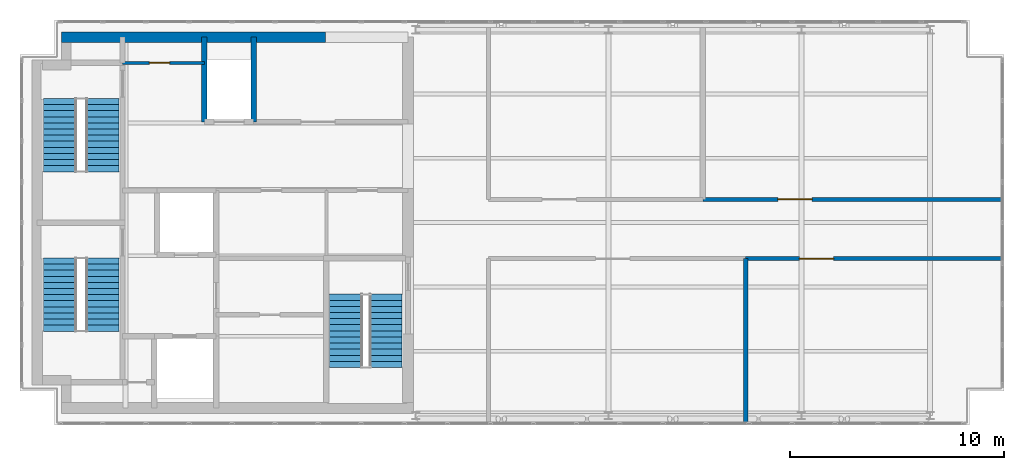
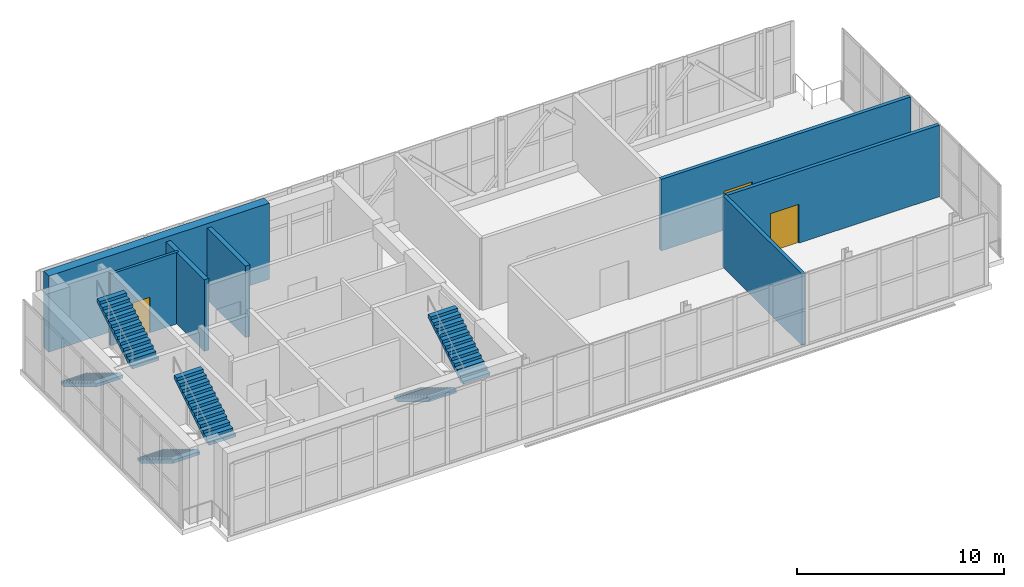
# One storey, part 19 of 21: 7 walls, 6 stair flights, 3 doors, 3 openings, 3 elements without a shape of their own.
"""IFC4 building model written with IfcOpenShell, lengths in metres."""

from ifc_helpers import new_model, si_unit, direction, frame, frame_2d, origin, place, context, subcontext, project, spatial, polyline, rectangle, outline, extrude, material, layer, layer_set, type_object, element, fill, aggregate, save


model = new_model("IFC4")

# Units and contexts
model_context = context("Model", 3, precision=1e-05, world=origin(), true_north=direction((0.0, 1.0)))
body_context = subcontext(model_context, "Body", "Model", "MODEL_VIEW")
ifc_project = project(units=[si_unit("LENGTHUNIT", "METRE"), si_unit("AREAUNIT", "SQUARE_METRE"), si_unit("VOLUMEUNIT", "CUBIC_METRE"), si_unit("PLANEANGLEUNIT", "RADIAN"), si_unit("MASSUNIT", "GRAM", prefix="KILO")], contexts=[model_context])

# Site, building, storey
site_placement = place(None, origin())
site = spatial("IfcSite", under=ifc_project, at=site_placement, CompositionType="ELEMENT")
building_placement = place(site_placement, origin())
building = spatial("IfcBuilding", under=site, at=building_placement, Name="Mawjdan Bourse Tower", CompositionType="ELEMENT")
storey_placement = place(building_placement, frame((0.0, 0.0, 317.699951171875)))
storey = spatial("IfcBuildingStorey", under=building, at=storey_placement, Name="L78", CompositionType="ELEMENT", Elevation=317.699951171875)

# Wall
ifc_material_1 = material(Name="Gypsum Fireboard Assembly")
ifc_layer_1 = layer(ifc_material_1, 0.199951171875)
ifc_layer_set_1 = layer_set([ifc_layer_1], Name="Gypsum Fireboard Assembly")
wall_type_1 = type_object("IfcWallType", Name="WL-CMP-200", PredefinedType="PARTITIONING", material=ifc_layer_set_1)
wall_1_placement = place(storey_placement, frame((39.39990234375, 2.659912109375, 0.0), z_axis=(0.0, 0.0, 1.0), x_axis=(0.0, 1.0, 0.0)))
element("IfcWall", 1, at=wall_1_placement, inside=storey, type_object=wall_type_1, Name="L78 South Plant Split Wall", PredefinedType="PARTITIONING", context=body_context, shape_type="SweptSolid", body=[
    extrude(rectangle(XDim=7.66015625, YDim=0.199951171875, at=frame_2d((3.830078125, 0.0))), origin(), (0.0, 0.0, 1.0), 4.22998046875),
])

# Wall, opening, door
wall_2_placement = place(storey_placement, frame((39.39990234375, 10.320068359375, 0.0), z_axis=(0.0, 0.0, 1.0), x_axis=(1.0, 0.0, 0.0)))
wall_2 = element("IfcWall", 2, at=wall_2_placement, inside=storey, type_object=wall_type_1, Name="L78 CHW Plant North Wall", PredefinedType="PARTITIONING", context=body_context, shape_type="SweptSolid", body=[
    extrude(rectangle(XDim=11.940185546875, YDim=0.199951171875, at=frame_2d((5.97021484375, 0.0))), origin(), (0.0, 0.0, 1.0), 4.22998046875),
])
opening_1_placement = place(wall_2_placement, frame((2.5, 0.0, 0.0)))
opening_1 = element("IfcOpeningElement", 3, at=opening_1_placement, cuts=wall_2, Name="Opening PD-L78-16", PredefinedType="OPENING", context=body_context, shape_type="SweptSolid", body=[
    extrude(rectangle(XDim=1.60009765625, YDim=2.300048828125, at=frame_2d((0.800048828125, 1.14990234375))), frame((0.0, 0.10986328125, 0.0), z_axis=(0.0, -1.0, 0.0), x_axis=(1.0, 0.0, 0.0)), (0.0, 0.0, 1.0), 0.219970703125),
])
ifc_material_2 = material(Name="Fire-Rated Acoustic Steel", Category="steel")
door_type_1 = type_object("IfcDoorType", Name="FD-PLT-1600", OperationType="DOUBLE_DOOR_SINGLE_SWING", PredefinedType="DOOR", material=ifc_material_2)
door_1_placement = place(opening_1_placement, origin())
door_1 = element("IfcDoor", 4, at=door_1_placement, inside=storey, type_object=door_type_1, Name="L78 CHW Pump Room Door PD-L78-16", OperationType="DOUBLE_DOOR_SINGLE_SWING", OverallHeight=2.300048828125, OverallWidth=1.60009765625, PredefinedType="DOOR", context=body_context, shape_type="SweptSolid", body=[
    extrude(rectangle(XDim=1.60009765625, YDim=2.300048828125, at=frame_2d((0.800048828125, 1.14990234375))), frame((0.0, 0.02490234375, 0.0), z_axis=(0.0, -1.0, 0.0), x_axis=(1.0, 0.0, 0.0)), (0.0, 0.0, 1.0), 0.050048828125),
])
fill(opening_1, door_1)

wall_3_placement = place(storey_placement, frame((37.39990234375, 13.080078125, 0.0), z_axis=(0.0, 0.0, 1.0), x_axis=(1.0, 0.0, 0.0)))
wall_3 = element("IfcWall", 5, at=wall_3_placement, inside=storey, type_object=wall_type_1, Name="L78 Switchgear South Wall", PredefinedType="PARTITIONING", context=body_context, shape_type="SweptSolid", body=[
    extrude(rectangle(XDim=13.940185546875, YDim=0.199951171875, at=frame_2d((6.97021484375, 0.0))), origin(), (0.0, 0.0, 1.0), 4.22998046875),
])
opening_2_placement = place(wall_3_placement, frame((3.5, 0.0, 0.0)))
opening_2 = element("IfcOpeningElement", 6, at=opening_2_placement, cuts=wall_3, Name="Opening PD-L78-18", PredefinedType="OPENING", context=body_context, shape_type="SweptSolid", body=[
    extrude(rectangle(XDim=1.60009765625, YDim=2.300048828125, at=frame_2d((0.800048828125, 1.14990234375))), frame((0.0, 0.10986328125, 0.0), z_axis=(0.0, -1.0, 0.0), x_axis=(1.0, 0.0, 0.0)), (0.0, 0.0, 1.0), 0.219970703125),
])
door_2_placement = place(opening_2_placement, origin())
door_2 = element("IfcDoor", 7, at=door_2_placement, inside=storey, type_object=door_type_1, Name="L78 Switchgear Room Door PD-L78-18", OperationType="DOUBLE_DOOR_SINGLE_SWING", OverallHeight=2.300048828125, OverallWidth=1.60009765625, PredefinedType="DOOR", context=body_context, shape_type="SweptSolid", body=[
    extrude(rectangle(XDim=1.60009765625, YDim=2.300048828125, at=frame_2d((0.800048828125, 1.14990234375))), frame((0.0, 0.02490234375, 0.0), z_axis=(0.0, -1.0, 0.0), x_axis=(1.0, 0.0, 0.0)), (0.0, 0.0, 1.0), 0.050048828125),
])
fill(opening_2, door_2)

# Wall
ifc_material_3 = material(Name="Concrete C60/75", Category="concrete")
ifc_layer_2 = layer(ifc_material_3, 0.5)
ifc_layer_set_2 = layer_set([ifc_layer_2], Name="Concrete C60/75")
wall_type_2 = type_object("IfcWallType", Name="WL-CORE-500", PredefinedType="SHEAR", material=ifc_layer_set_2)
wall_4_placement = place(storey_placement, frame((7.47509765625, 20.64990234375, 0.0), z_axis=(0.0, 0.0, 1.0), x_axis=(1.0, 0.0, 0.0)))
element("IfcWall", 8, at=wall_4_placement, inside=storey, type_object=wall_type_2, Name="L78 Rear Core Shear Wall N", PredefinedType="SHEAR", context=body_context, shape_type="SweptSolid", body=[
    extrude(rectangle(XDim=12.324951171875, YDim=0.5, at=frame_2d((6.16259765625, 0.0))), origin(), (0.0, 0.0, 1.0), 4.5),
])

# Wall, opening, door
ifc_material_4 = material(Name="Gypsum Acoustic Partition")
ifc_layer_3 = layer(ifc_material_4, 0.14990234375)
ifc_layer_set_3 = layer_set([ifc_layer_3], Name="Gypsum Acoustic Partition")
wall_type_3 = type_object("IfcWallType", Name="WL-PRT-150", PredefinedType="PARTITIONING", material=ifc_layer_set_3)
wall_5_placement = place(storey_placement, frame((10.330078125, 19.449951171875, 0.0), z_axis=(0.0, 0.0, 1.0), x_axis=(1.0, 0.0, 0.0)))
wall_5 = element("IfcWall", 9, at=wall_5_placement, inside=storey, type_object=wall_type_3, Name="L78 Housekeeping South Wall", PredefinedType="PARTITIONING", context=body_context, shape_type="SweptSolid", body=[
    extrude(rectangle(XDim=3.81982421875, YDim=0.14990234375, at=frame_2d((1.909912109375, 0.0))), origin(), (0.0, 0.0, 1.0), 4.22998046875),
])
opening_3_placement = place(wall_5_placement, frame((1.25, 0.0, 0.0)))
opening_3 = element("IfcOpeningElement", 10, at=opening_3_placement, cuts=wall_5, Name="Opening D-L78-14", PredefinedType="OPENING", context=body_context, shape_type="SweptSolid", body=[
    extrude(rectangle(XDim=0.949951171875, YDim=2.10009765625, at=frame_2d((0.47509765625, 1.050048828125))), frame((0.0, 0.0849609375, 0.0), z_axis=(0.0, -1.0, 0.0), x_axis=(1.0, 0.0, 0.0)), (0.0, 0.0, 1.0), 0.169921875),
])
ifc_material_5 = material(Name="Moisture-Resistant Laminate Timber", Category="wood")
door_type_2 = type_object("IfcDoorType", Name="DR-WET-0950", OperationType="NOTDEFINED", PredefinedType="DOOR", material=ifc_material_5)
door_3_placement = place(opening_3_placement, origin())
door_3 = element("IfcDoor", 11, at=door_3_placement, inside=storey, type_object=door_type_2, Name="L78 Housekeeping Closet Door D-L78-14", OperationType="SINGLE_SWING_RIGHT", OverallHeight=2.10009765625, OverallWidth=0.949951171875, PredefinedType="DOOR", context=body_context, shape_type="SweptSolid", body=[
    extrude(rectangle(XDim=0.949951171875, YDim=2.10009765625, at=frame_2d((0.47509765625, 1.050048828125))), frame((0.0, 0.02490234375, 0.0), z_axis=(0.0, -1.0, 0.0), x_axis=(1.0, 0.0, 0.0)), (0.0, 0.0, 1.0), 0.050048828125),
])
fill(opening_3, door_3)

# Walls
ifc_material_6 = material(Name="Concrete C50/60", Category="concrete")
ifc_layer_4 = layer(ifc_material_6, 0.25)
ifc_layer_set_4 = layer_set([ifc_layer_4], Name="Concrete C50/60")
wall_type_4 = type_object("IfcWallType", Name="WL-SHFT-250", PredefinedType="PARTITIONING", material=ifc_layer_set_4)
for number, where, z_axis, x_axis, name in (
    (12, (14.14990234375, 16.699951171875, 0.0), (0.0, 0.0, 1.0), (0.0, 1.0, 0.0), "L78 SVL-01 West Shaft Wall"),
    (13, (16.449951171875, 16.699951171875, 0.0), (0.0, 0.0, 1.0), (0.0, 1.0, 0.0), "L78 SVL-01 East Shaft Wall"),
):
    element("IfcWall", number, at=place(storey_placement, frame(where, z_axis=z_axis, x_axis=x_axis)), inside=storey, type_object=wall_type_4, Name=name, PredefinedType="PARTITIONING", context=body_context, shape_type="SweptSolid", body=[
        extrude(rectangle(XDim=3.949951171875, YDim=0.25, at=frame_2d((1.97509765625, 0.0))), origin(), (0.0, 0.0, 1.0), 4.22998046875),
    ])

# Stair, stair flights
stair_type = type_object("IfcStairType", Name="STR-CORE-1500", PredefinedType="HALF_TURN_STAIR", material=ifc_material_6)
stair_1_placement = place(storey_placement, origin())
stair_1 = element("IfcStair", 14, at=stair_1_placement, inside=storey, type_object=stair_type, Name="L78 Exit Stair 1 (Core South-West)", PredefinedType="HALF_TURN_STAIR")
stair_flight_type = type_object("IfcStairFlightType", Name="SFL-RC-1500", PredefinedType="STRAIGHT", material=ifc_material_6)
stair_flight_1_placement = place(storey_placement, frame((7.389892578125, 10.35009765625, 0.0), z_axis=(0.0, 0.0, 1.0), x_axis=(0.0, -1.0, 0.0)))
stair_flight_1 = element("IfcStairFlight", 15, at=stair_flight_1_placement, type_object=stair_flight_type, Name="ST1-L78 flight 1", NumberOfRisers=13, NumberOfTreads=12, PredefinedType="STRAIGHT", RiserHeight=0.173077, TreadLength=0.285, context=body_context, shape_type="SweptSolid", body=[
    extrude(outline(polyline([(0.0, 0.0), (0.0, 0.173095703125), (0.284912109375, 0.173095703125), (0.284912109375, 0.34619140625), (0.570068359375, 0.34619140625), (0.570068359375, 0.519287109375), (0.85498046875, 0.519287109375), (0.85498046875, 0.6923828125), (1.139892578125, 0.6923828125), (1.139892578125, 0.865478515625), (1.425048828125, 0.865478515625), (1.425048828125, 1.03857421875), (1.7099609375, 1.03857421875), (1.7099609375, 1.21142578125), (1.9951171875, 1.21142578125), (1.9951171875, 1.384521484375), (2.280029296875, 1.384521484375), (2.280029296875, 1.5576171875), (2.56494140625, 1.5576171875), (2.56494140625, 1.730712890625), (2.85009765625, 1.730712890625), (2.85009765625, 1.90380859375), (3.135009765625, 1.90380859375), (3.135009765625, 2.076904296875), (3.419921875, 2.076904296875), (3.419921875, 2.25), (3.419921875, 1.889892578125), (0.30810546875, 0.0), (0.0, 0.0)])), frame((0.0, 0.75, 0.0), z_axis=(0.0, -1.0, 0.0), x_axis=(1.0, 0.0, 0.0)), (0.0, 0.0, 1.0), 1.5),
])
stair_flight_2_placement = place(storey_placement, frame((9.409912109375, 6.929931640625, 2.25), z_axis=(0.0, 0.0, 1.0), x_axis=(0.0, 1.0, 0.0)))
stair_flight_2 = element("IfcStairFlight", 16, at=stair_flight_2_placement, type_object=stair_flight_type, Name="ST1-L78 flight 2", NumberOfRisers=13, NumberOfTreads=12, PredefinedType="STRAIGHT", RiserHeight=0.173077, TreadLength=0.285, context=body_context, shape_type="SweptSolid", body=[
    extrude(outline(polyline([(0.0, 0.0), (0.0, 0.173095703125), (0.284912109375, 0.173095703125), (0.284912109375, 0.34619140625), (0.570068359375, 0.34619140625), (0.570068359375, 0.519287109375), (0.85498046875, 0.519287109375), (0.85498046875, 0.6923828125), (1.139892578125, 0.6923828125), (1.139892578125, 0.865478515625), (1.425048828125, 0.865478515625), (1.425048828125, 1.03857421875), (1.7099609375, 1.03857421875), (1.7099609375, 1.21142578125), (1.9951171875, 1.21142578125), (1.9951171875, 1.384521484375), (2.280029296875, 1.384521484375), (2.280029296875, 1.5576171875), (2.56494140625, 1.5576171875), (2.56494140625, 1.730712890625), (2.85009765625, 1.730712890625), (2.85009765625, 1.90380859375), (3.135009765625, 1.90380859375), (3.135009765625, 2.076904296875), (3.419921875, 2.076904296875), (3.419921875, 2.25), (3.419921875, 1.889892578125), (0.30810546875, 0.0), (0.0, 0.0)])), frame((0.0, 0.75, 0.0), z_axis=(0.0, -1.0, 0.0), x_axis=(1.0, 0.0, 0.0)), (0.0, 0.0, 1.0), 1.5),
])
aggregate(stair_1, [stair_flight_1, stair_flight_2])

stair_2_placement = place(storey_placement, origin())
stair_2 = element("IfcStair", 17, at=stair_2_placement, inside=storey, type_object=stair_type, Name="L78 Exit Stair 2 (Core North-West)", PredefinedType="HALF_TURN_STAIR")
stair_flight_3_placement = place(storey_placement, frame((7.389892578125, 17.7900390625, 0.0), z_axis=(0.0, 0.0, 1.0), x_axis=(0.0, -1.0, 0.0)))
stair_flight_3 = element("IfcStairFlight", 18, at=stair_flight_3_placement, type_object=stair_flight_type, Name="ST2-L78 flight 1", NumberOfRisers=13, NumberOfTreads=12, PredefinedType="STRAIGHT", RiserHeight=0.173077, TreadLength=0.285, context=body_context, shape_type="SweptSolid", body=[
    extrude(outline(polyline([(0.0, 0.0), (0.0, 0.173095703125), (0.284912109375, 0.173095703125), (0.284912109375, 0.34619140625), (0.570068359375, 0.34619140625), (0.570068359375, 0.519287109375), (0.85498046875, 0.519287109375), (0.85498046875, 0.6923828125), (1.139892578125, 0.6923828125), (1.139892578125, 0.865478515625), (1.425048828125, 0.865478515625), (1.425048828125, 1.03857421875), (1.7099609375, 1.03857421875), (1.7099609375, 1.21142578125), (1.9951171875, 1.21142578125), (1.9951171875, 1.384521484375), (2.280029296875, 1.384521484375), (2.280029296875, 1.5576171875), (2.56494140625, 1.5576171875), (2.56494140625, 1.730712890625), (2.85009765625, 1.730712890625), (2.85009765625, 1.90380859375), (3.135009765625, 1.90380859375), (3.135009765625, 2.076904296875), (3.419921875, 2.076904296875), (3.419921875, 2.25), (3.419921875, 1.889892578125), (0.30810546875, 0.0), (0.0, 0.0)])), frame((0.0, 0.75, 0.0), z_axis=(0.0, -1.0, 0.0), x_axis=(1.0, 0.0, 0.0)), (0.0, 0.0, 1.0), 1.5),
])
stair_flight_4_placement = place(storey_placement, frame((9.409912109375, 14.3701171875, 2.25), z_axis=(0.0, 0.0, 1.0), x_axis=(0.0, 1.0, 0.0)))
stair_flight_4 = element("IfcStairFlight", 19, at=stair_flight_4_placement, type_object=stair_flight_type, Name="ST2-L78 flight 2", NumberOfRisers=13, NumberOfTreads=12, PredefinedType="STRAIGHT", RiserHeight=0.173077, TreadLength=0.285, context=body_context, shape_type="SweptSolid", body=[
    extrude(outline(polyline([(0.0, 0.0), (0.0, 0.173095703125), (0.284912109375, 0.173095703125), (0.284912109375, 0.34619140625), (0.570068359375, 0.34619140625), (0.570068359375, 0.519287109375), (0.85498046875, 0.519287109375), (0.85498046875, 0.6923828125), (1.139892578125, 0.6923828125), (1.139892578125, 0.865478515625), (1.425048828125, 0.865478515625), (1.425048828125, 1.03857421875), (1.7099609375, 1.03857421875), (1.7099609375, 1.21142578125), (1.9951171875, 1.21142578125), (1.9951171875, 1.384521484375), (2.280029296875, 1.384521484375), (2.280029296875, 1.5576171875), (2.56494140625, 1.5576171875), (2.56494140625, 1.730712890625), (2.85009765625, 1.730712890625), (2.85009765625, 1.90380859375), (3.135009765625, 1.90380859375), (3.135009765625, 2.076904296875), (3.419921875, 2.076904296875), (3.419921875, 2.25), (3.419921875, 1.889892578125), (0.30810546875, 0.0), (0.0, 0.0)])), frame((0.0, 0.75, 0.0), z_axis=(0.0, -1.0, 0.0), x_axis=(1.0, 0.0, 0.0)), (0.0, 0.0, 1.0), 1.5),
])
aggregate(stair_2, [stair_flight_3, stair_flight_4])

stair_3_placement = place(storey_placement, origin())
stair_3 = element("IfcStair", 20, at=stair_3_placement, inside=storey, type_object=stair_type, Name="L78 Exit Stair 7 (Core South-East)", PredefinedType="HALF_TURN_STAIR")
stair_flight_5_placement = place(storey_placement, frame((20.739990234375, 8.659912109375, 0.0), z_axis=(0.0, 0.0, 1.0), x_axis=(0.0, -1.0, 0.0)))
stair_flight_5 = element("IfcStairFlight", 21, at=stair_flight_5_placement, type_object=stair_flight_type, Name="ST7-L78 flight 1", NumberOfRisers=13, NumberOfTreads=12, PredefinedType="STRAIGHT", RiserHeight=0.173077, TreadLength=0.285, context=body_context, shape_type="SweptSolid", body=[
    extrude(outline(polyline([(0.0, 0.0), (0.0, 0.173095703125), (0.284912109375, 0.173095703125), (0.284912109375, 0.34619140625), (0.570068359375, 0.34619140625), (0.570068359375, 0.519287109375), (0.85498046875, 0.519287109375), (0.85498046875, 0.6923828125), (1.139892578125, 0.6923828125), (1.139892578125, 0.865478515625), (1.425048828125, 0.865478515625), (1.425048828125, 1.03857421875), (1.7099609375, 1.03857421875), (1.7099609375, 1.21142578125), (1.9951171875, 1.21142578125), (1.9951171875, 1.384521484375), (2.280029296875, 1.384521484375), (2.280029296875, 1.5576171875), (2.56494140625, 1.5576171875), (2.56494140625, 1.730712890625), (2.85009765625, 1.730712890625), (2.85009765625, 1.90380859375), (3.135009765625, 1.90380859375), (3.135009765625, 2.076904296875), (3.419921875, 2.076904296875), (3.419921875, 2.25), (3.419921875, 1.889892578125), (0.30810546875, 0.0), (0.0, 0.0)])), frame((0.0, 0.75, 0.0), z_axis=(0.0, -1.0, 0.0), x_axis=(1.0, 0.0, 0.0)), (0.0, 0.0, 1.0), 1.5),
])
stair_flight_6_placement = place(storey_placement, frame((22.6298828125, 5.239990234375, 2.25), z_axis=(0.0, 0.0, 1.0), x_axis=(0.0, 1.0, 0.0)))
stair_flight_6 = element("IfcStairFlight", 22, at=stair_flight_6_placement, type_object=stair_flight_type, Name="ST7-L78 flight 2", NumberOfRisers=13, NumberOfTreads=12, PredefinedType="STRAIGHT", RiserHeight=0.173077, TreadLength=0.285, context=body_context, shape_type="SweptSolid", body=[
    extrude(outline(polyline([(0.0, 0.0), (0.0, 0.173095703125), (0.284912109375, 0.173095703125), (0.284912109375, 0.34619140625), (0.570068359375, 0.34619140625), (0.570068359375, 0.519287109375), (0.85498046875, 0.519287109375), (0.85498046875, 0.6923828125), (1.139892578125, 0.6923828125), (1.139892578125, 0.865478515625), (1.425048828125, 0.865478515625), (1.425048828125, 1.03857421875), (1.7099609375, 1.03857421875), (1.7099609375, 1.21142578125), (1.9951171875, 1.21142578125), (1.9951171875, 1.384521484375), (2.280029296875, 1.384521484375), (2.280029296875, 1.5576171875), (2.56494140625, 1.5576171875), (2.56494140625, 1.730712890625), (2.85009765625, 1.730712890625), (2.85009765625, 1.90380859375), (3.135009765625, 1.90380859375), (3.135009765625, 2.076904296875), (3.419921875, 2.076904296875), (3.419921875, 2.25), (3.419921875, 1.889892578125), (0.30810546875, 0.0), (0.0, 0.0)])), frame((0.0, 0.75, 0.0), z_axis=(0.0, -1.0, 0.0), x_axis=(1.0, 0.0, 0.0)), (0.0, 0.0, 1.0), 1.5),
])
aggregate(stair_3, [stair_flight_5, stair_flight_6])

save(model, "model.ifc")
